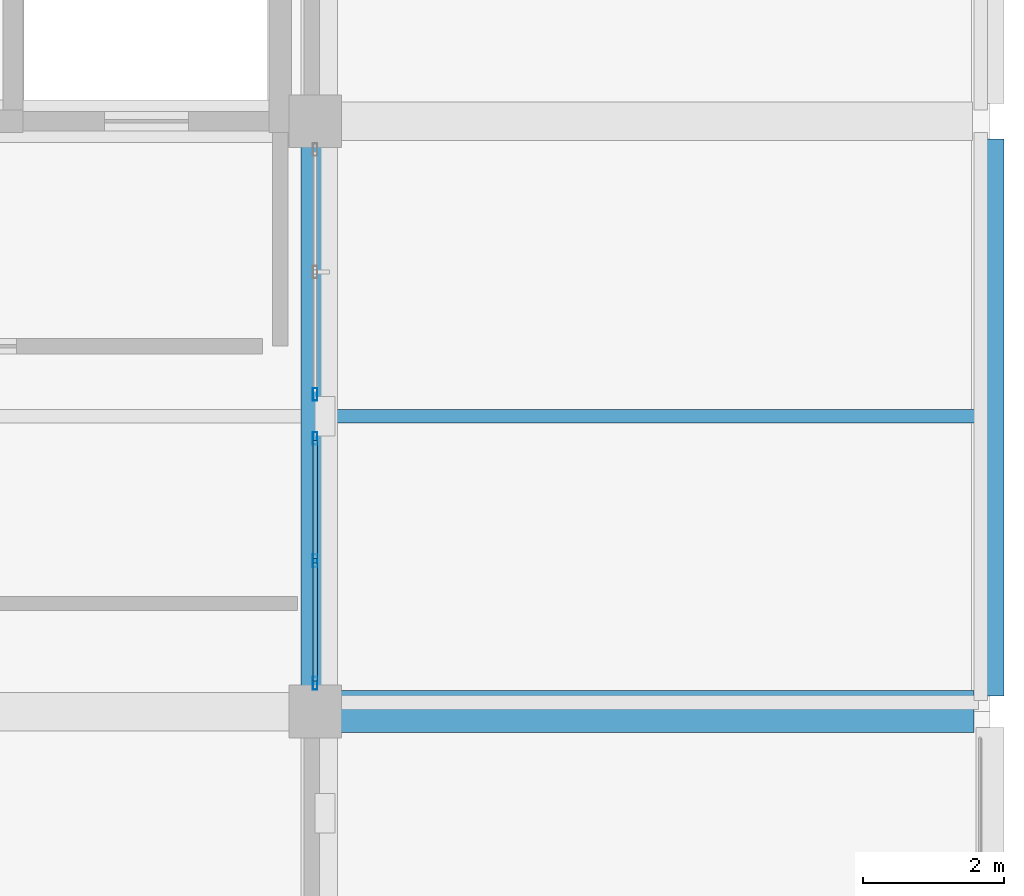
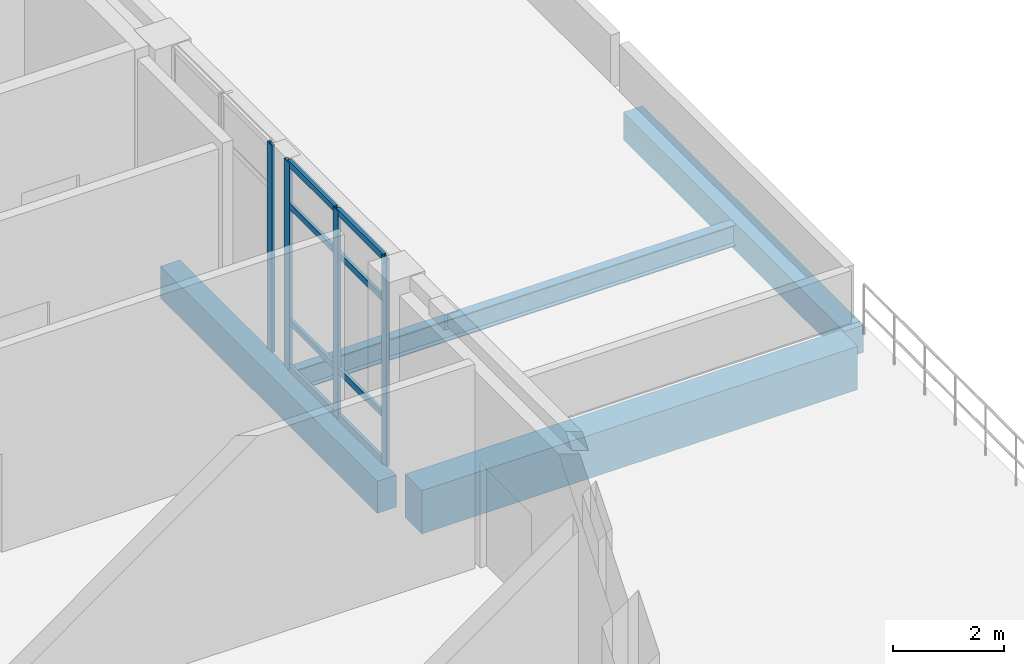
# One storey, part 57 of 88: 12 members, 4 beams, 2 elements without a shape of their own.
"""IFC4 building model written with IfcOpenShell, lengths in metres."""

from ifc_helpers import new_model, si_unit, direction, frame, origin, origin_2d, place, context, subcontext, project, spatial, rectangle, hollow_rectangle, i_section, extrude, material, layer, layer_set, material_profile, profile_set, type_object, element, aggregate, save


model = new_model("IFC4")

# Units and contexts
model_context = context("Model", 3, precision=1e-05, world=origin(), true_north=direction((0.0, 1.0)))
body_context = subcontext(model_context, "Body", "Model", "MODEL_VIEW")
ifc_project = project(units=[si_unit("LENGTHUNIT", "METRE"), si_unit("AREAUNIT", "SQUARE_METRE"), si_unit("VOLUMEUNIT", "CUBIC_METRE"), si_unit("PLANEANGLEUNIT", "RADIAN"), si_unit("MASSUNIT", "GRAM", prefix="KILO")], contexts=[model_context])

# Site, building, storey
site_placement = place(None, origin())
site = spatial("IfcSite", under=ifc_project, at=site_placement, CompositionType="ELEMENT")
building_placement = place(site_placement, origin())
building = spatial("IfcBuilding", under=site, at=building_placement, Name="Lornevale Opera House", CompositionType="ELEMENT")
storey_placement = place(building_placement, frame((0.0, 0.0, 10.199951171875)))
storey = spatial("IfcBuildingStorey", under=building, at=storey_placement, Name="L03", CompositionType="ELEMENT", Elevation=10.199951171875)

# Beams
ifc_material_1 = material(Name="Concrete 35 MPa (CSA A23.1 N)", Category="concrete")
ifc_material_profile_1 = material_profile(ifc_material_1, rectangle(XDim=0.39990234375, YDim=0.699951171875, at=origin_2d()), Name="RC400x700")
ifc_profile_set_1 = profile_set([ifc_material_profile_1], Name="Concrete 35 MPa (CSA A23.1 N)")
beam_type_1 = type_object("IfcBeamType", Name="Concrete Floor Beam 400x700", PredefinedType="USERDEFINED", material=ifc_profile_set_1)
beam_1_placement = place(storey_placement, frame((144.0, 59.14990234375, -0.639892578125), z_axis=(0.0, 1.0, 0.0), x_axis=(-1.0, 0.0, 0.0)))
element("IfcBeam", 1, at=beam_1_placement, inside=storey, type_object=beam_type_1, Name="Concrete Floor Beam 400x700 2356", ObjectType="GIRDER", PredefinedType="USERDEFINED", context=body_context, shape_type="SweptSolid", body=[
    extrude(rectangle(XDim=0.39990234375, YDim=0.699951171875, at=origin_2d()), origin(), (0.0, 0.0, 1.0), 7.775146484375),
])
ifc_material_profile_2 = material_profile(ifc_material_1, rectangle(XDim=0.60009765625, YDim=0.949951171875, at=origin_2d()), Name="RC600x950")
ifc_profile_set_2 = profile_set([ifc_material_profile_2], Name="Concrete 35 MPa (CSA A23.1 N)")
beam_type_2 = type_object("IfcBeamType", Name="Concrete Primary Girder 600x950", PredefinedType="USERDEFINED", material=ifc_profile_set_2)
beam_2_placement = place(storey_placement, frame((144.35009765625, 58.800048828125, -0.764892578125), z_axis=(1.0, 0.0, 0.0), x_axis=(0.0, 1.0, 0.0)))
element("IfcBeam", 2, at=beam_2_placement, inside=storey, type_object=beam_type_2, Name="Concrete Primary Girder 600x950 2163", ObjectType="GIRDER", PredefinedType="USERDEFINED", context=body_context, shape_type="SweptSolid", body=[
    extrude(rectangle(XDim=0.60009765625, YDim=0.949951171875, at=origin_2d()), origin(), (0.0, 0.0, 1.0), 9.02490234375),
])
ifc_material_profile_3 = material_profile(ifc_material_1, rectangle(XDim=0.39990234375, YDim=0.60009765625, at=origin_2d()), Name="RC400x600")
ifc_profile_set_3 = profile_set([ifc_material_profile_3], Name="Concrete 35 MPa (CSA A23.1 N)")
beam_type_3 = type_object("IfcBeamType", Name="Concrete Spandrel Beam 400x600", PredefinedType="SPANDREL", material=ifc_profile_set_3)
beam_3_placement = place(storey_placement, frame((153.60009765625, 59.02490234375, -0.58984375), z_axis=(0.0, 1.0, 0.0), x_axis=(-1.0, 0.0, 0.0)))
element("IfcBeam", 3, at=beam_3_placement, inside=storey, type_object=beam_type_3, Name="Concrete Spandrel Beam 400x600 2364", PredefinedType="SPANDREL", context=body_context, shape_type="SweptSolid", body=[
    extrude(rectangle(XDim=0.39990234375, YDim=0.60009765625, at=origin_2d()), origin(), (0.0, 0.0, 1.0), 7.925048828125),
])

# Curtain wall, member
ifc_material_2 = material(Name="Anodized Oxide-Green Aluminium Framing", Category="aluminium")
ifc_layer = layer(ifc_material_2, 0.179931640625)
ifc_layer_set = layer_set([ifc_layer], Name="Anodized Oxide-Green Aluminium Framing")
curtain_wall_type = type_object("IfcCurtainWallType", Name="Promenade Gallery Curtain Wall M1800", PredefinedType="NOTDEFINED", material=ifc_layer_set)
curtain_wall_1_placement = place(storey_placement, origin())
curtain_wall_1 = element("IfcCurtainWall", 4, at=curtain_wall_1_placement, inside=storey, type_object=curtain_wall_type, Name="Promenade Gallery Curtain Wall M1800 CW-147", PredefinedType="NOTDEFINED")
ifc_material_profile_4 = material_profile(ifc_material_2, hollow_rectangle(XDim=0.06494140625, YDim=0.179931640625, WallThickness=0.0048828125, at=origin_2d()), Name="ALU65x180x5")
ifc_profile_set_4 = profile_set([ifc_material_profile_4], Name="Anodized Oxide-Green Aluminium Framing")
member_type_1 = type_object("IfcMemberType", Name="Curtain Wall Mullion 65x180", PredefinedType="MULLION", material=ifc_profile_set_4)
member_1_placement = place(storey_placement, frame((144.0, 63.3125, 0.0), z_axis=(0.0, 0.0, 1.0), x_axis=(1.0, 0.0, 0.0)))
member_1 = element("IfcMember", 5, at=member_1_placement, type_object=member_type_1, Name="Curtain Wall Mullion 65x180 CW3053", PredefinedType="MULLION", context=body_context, shape_type="SweptSolid", body=[
    extrude(hollow_rectangle(XDim=0.06494140625, YDim=0.179931640625, WallThickness=0.0048828125, at=origin_2d()), origin(), (0.0, 0.0, 1.0), 4.5400390625),
])
aggregate(curtain_wall_1, [member_1])

# Curtain wall, members
curtain_wall_2_placement = place(storey_placement, origin())
curtain_wall_2 = element("IfcCurtainWall", 6, at=curtain_wall_2_placement, inside=storey, type_object=curtain_wall_type, Name="Promenade Gallery Curtain Wall M1800 CW-148", PredefinedType="NOTDEFINED")
member_2_placement = place(storey_placement, frame((144.0, 62.6875, 0.0), z_axis=(0.0, 0.0, 1.0), x_axis=(1.0, 0.0, 0.0)))
member_2 = element("IfcMember", 7, at=member_2_placement, type_object=member_type_1, Name="Curtain Wall Mullion 65x180 CW3068", PredefinedType="MULLION", context=body_context, shape_type="SweptSolid", body=[
    extrude(hollow_rectangle(XDim=0.06494140625, YDim=0.179931640625, WallThickness=0.0048828125, at=origin_2d()), origin(), (0.0, 0.0, 1.0), 4.5400390625),
])
member_3_placement = place(storey_placement, frame((144.0, 60.945556640625, 0.0), z_axis=(0.0, 0.0, 1.0), x_axis=(1.0, 0.0, 0.0)))
member_3 = element("IfcMember", 8, at=member_3_placement, type_object=member_type_1, Name="Curtain Wall Mullion 65x180 CW3069", PredefinedType="MULLION", context=body_context, shape_type="SweptSolid", body=[
    extrude(hollow_rectangle(XDim=0.06494140625, YDim=0.179931640625, WallThickness=0.0048828125, at=origin_2d()), origin(), (0.0, 0.0, 1.0), 4.5400390625),
])
member_4_placement = place(storey_placement, frame((144.0, 59.20361328125, 0.0), z_axis=(0.0, 0.0, 1.0), x_axis=(1.0, 0.0, 0.0)))
member_4 = element("IfcMember", 9, at=member_4_placement, type_object=member_type_1, Name="Curtain Wall Mullion 65x180 CW3070", PredefinedType="MULLION", context=body_context, shape_type="SweptSolid", body=[
    extrude(hollow_rectangle(XDim=0.06494140625, YDim=0.179931640625, WallThickness=0.0048828125, at=origin_2d()), origin(), (0.0, 0.0, 1.0), 4.5400390625),
])
ifc_material_profile_5 = material_profile(ifc_material_2, hollow_rectangle(XDim=0.06494140625, YDim=0.135009765625, WallThickness=0.00390625, at=origin_2d()), Name="ALU65x135x4")
ifc_profile_set_5 = profile_set([ifc_material_profile_5], Name="Anodized Oxide-Green Aluminium Framing")
member_type_2 = type_object("IfcMemberType", Name="Curtain Wall Transom 65x135", PredefinedType="USERDEFINED", material=ifc_profile_set_5)
member_5_placement = place(storey_placement, frame((144.0, 62.655029296875, 0.032470703125), z_axis=(0.0, -1.0, 0.0), x_axis=(1.0, 0.0, 0.0)))
member_5 = element("IfcMember", 10, at=member_5_placement, type_object=member_type_2, Name="Curtain Wall Transom 65x135 CW3071", ObjectType="TRANSOM", PredefinedType="USERDEFINED", context=body_context, shape_type="SweptSolid", body=[
    extrude(hollow_rectangle(XDim=0.06494140625, YDim=0.135009765625, WallThickness=0.00390625, at=origin_2d()), origin(), (0.0, 0.0, 1.0), 1.677001953125),
])
member_6_placement = place(storey_placement, frame((144.0, 62.655029296875, 1.050048828125), z_axis=(0.0, -1.0, 0.0), x_axis=(1.0, 0.0, 0.0)))
member_6 = element("IfcMember", 11, at=member_6_placement, type_object=member_type_2, Name="Curtain Wall Transom 65x135 CW3072", ObjectType="TRANSOM", PredefinedType="USERDEFINED", context=body_context, shape_type="SweptSolid", body=[
    extrude(hollow_rectangle(XDim=0.06494140625, YDim=0.135009765625, WallThickness=0.00390625, at=origin_2d()), origin(), (0.0, 0.0, 1.0), 1.677001953125),
])
member_7_placement = place(storey_placement, frame((144.0, 62.655029296875, 3.590087890625), z_axis=(0.0, -1.0, 0.0), x_axis=(1.0, 0.0, 0.0)))
member_7 = element("IfcMember", 12, at=member_7_placement, type_object=member_type_2, Name="Curtain Wall Transom 65x135 CW3073", ObjectType="TRANSOM", PredefinedType="USERDEFINED", context=body_context, shape_type="SweptSolid", body=[
    extrude(hollow_rectangle(XDim=0.06494140625, YDim=0.135009765625, WallThickness=0.00390625, at=origin_2d()), origin(), (0.0, 0.0, 1.0), 1.677001953125),
])
member_8_placement = place(storey_placement, frame((144.0, 62.655029296875, 4.507568359375), z_axis=(0.0, -1.0, 0.0), x_axis=(1.0, 0.0, 0.0)))
member_8 = element("IfcMember", 13, at=member_8_placement, type_object=member_type_2, Name="Curtain Wall Transom 65x135 CW3074", ObjectType="TRANSOM", PredefinedType="USERDEFINED", context=body_context, shape_type="SweptSolid", body=[
    extrude(hollow_rectangle(XDim=0.06494140625, YDim=0.135009765625, WallThickness=0.00390625, at=origin_2d()), origin(), (0.0, 0.0, 1.0), 1.677001953125),
])
member_9_placement = place(storey_placement, frame((144.0, 60.9130859375, 0.032470703125), z_axis=(0.0, -1.0, 0.0), x_axis=(1.0, 0.0, 0.0)))
member_9 = element("IfcMember", 14, at=member_9_placement, type_object=member_type_2, Name="Curtain Wall Transom 65x135 CW3078", ObjectType="TRANSOM", PredefinedType="USERDEFINED", context=body_context, shape_type="SweptSolid", body=[
    extrude(hollow_rectangle(XDim=0.06494140625, YDim=0.135009765625, WallThickness=0.00390625, at=origin_2d()), origin(), (0.0, 0.0, 1.0), 1.677001953125),
])
member_10_placement = place(storey_placement, frame((144.0, 60.9130859375, 1.050048828125), z_axis=(0.0, -1.0, 0.0), x_axis=(1.0, 0.0, 0.0)))
member_10 = element("IfcMember", 15, at=member_10_placement, type_object=member_type_2, Name="Curtain Wall Transom 65x135 CW3079", ObjectType="TRANSOM", PredefinedType="USERDEFINED", context=body_context, shape_type="SweptSolid", body=[
    extrude(hollow_rectangle(XDim=0.06494140625, YDim=0.135009765625, WallThickness=0.00390625, at=origin_2d()), origin(), (0.0, 0.0, 1.0), 1.677001953125),
])
member_11_placement = place(storey_placement, frame((144.0, 60.9130859375, 3.590087890625), z_axis=(0.0, -1.0, 0.0), x_axis=(1.0, 0.0, 0.0)))
member_11 = element("IfcMember", 16, at=member_11_placement, type_object=member_type_2, Name="Curtain Wall Transom 65x135 CW3080", ObjectType="TRANSOM", PredefinedType="USERDEFINED", context=body_context, shape_type="SweptSolid", body=[
    extrude(hollow_rectangle(XDim=0.06494140625, YDim=0.135009765625, WallThickness=0.00390625, at=origin_2d()), origin(), (0.0, 0.0, 1.0), 1.677001953125),
])
member_12_placement = place(storey_placement, frame((144.0, 60.9130859375, 4.507568359375), z_axis=(0.0, -1.0, 0.0), x_axis=(1.0, 0.0, 0.0)))
member_12 = element("IfcMember", 17, at=member_12_placement, type_object=member_type_2, Name="Curtain Wall Transom 65x135 CW3081", ObjectType="TRANSOM", PredefinedType="USERDEFINED", context=body_context, shape_type="SweptSolid", body=[
    extrude(hollow_rectangle(XDim=0.06494140625, YDim=0.135009765625, WallThickness=0.00390625, at=origin_2d()), origin(), (0.0, 0.0, 1.0), 1.677001953125),
])
aggregate(curtain_wall_2, [member_2, member_3, member_4, member_5, member_6, member_7, member_8, member_9, member_10, member_11, member_12])

# Beam
ifc_material_3 = material(Name="Structural Steel CSA G40.21 Grade 350W (350 MPa)", Category="steel")
ifc_material_profile_6 = material_profile(ifc_material_3, i_section(OverallWidth=0.19189453125, OverallDepth=0.462890625, WebThickness=0.010498046875, FlangeThickness=0.017578125, at=origin_2d()), Name="W460x89")
ifc_profile_set_6 = profile_set([ifc_material_profile_6], Name="Structural Steel CSA G40.21 Grade 350W (350 MPa)")
beam_type_4 = type_object("IfcBeamType", Name="Steel Floor Joist W460x89", PredefinedType="JOIST", material=ifc_profile_set_6)
beam_4_placement = place(storey_placement, frame((144.199951171875, 63.0, -0.536376953125), z_axis=(1.0, 0.0, 0.0), x_axis=(0.0, 1.0, 0.0)))
element("IfcBeam", 18, at=beam_4_placement, inside=storey, type_object=beam_type_4, Name="Steel Floor Joist W460x89 2457", PredefinedType="JOIST", context=body_context, shape_type="SweptSolid", body=[
    extrude(i_section(OverallWidth=0.19189453125, OverallDepth=0.462890625, WebThickness=0.010498046875, FlangeThickness=0.017578125, at=origin_2d()), origin(), (0.0, 0.0, 1.0), 9.199951171875),
])

save(model, "model.ifc")
